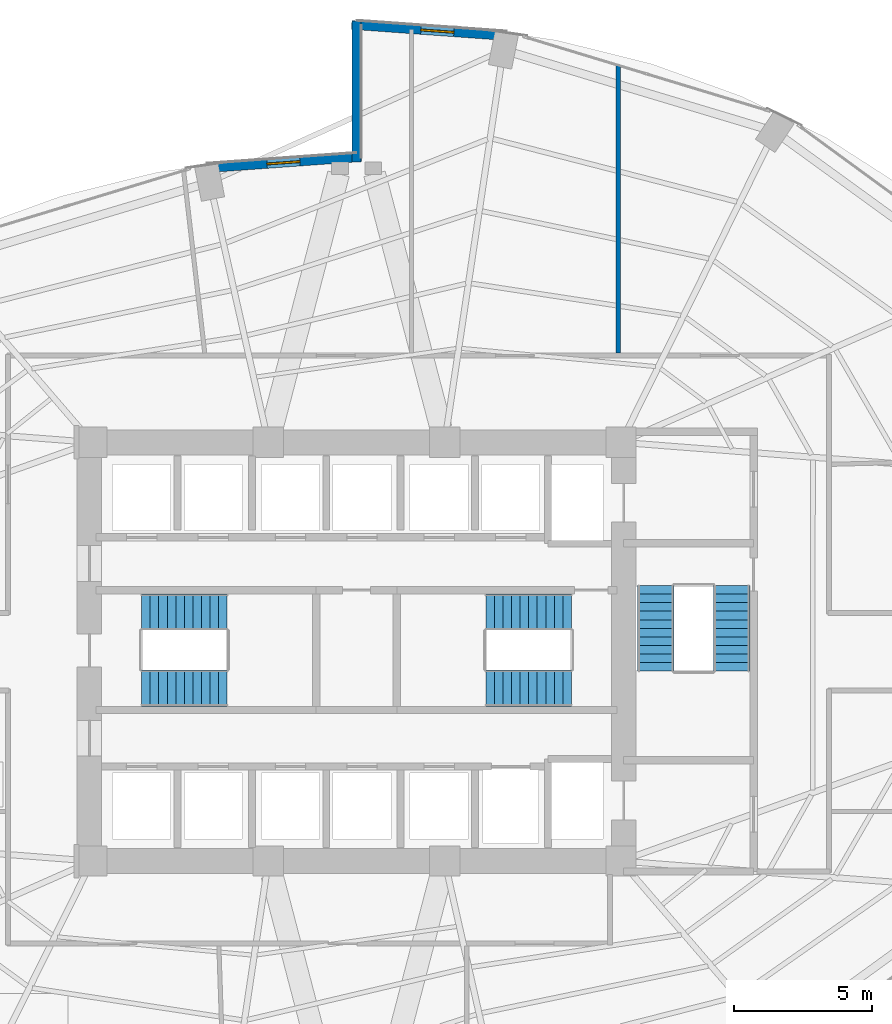
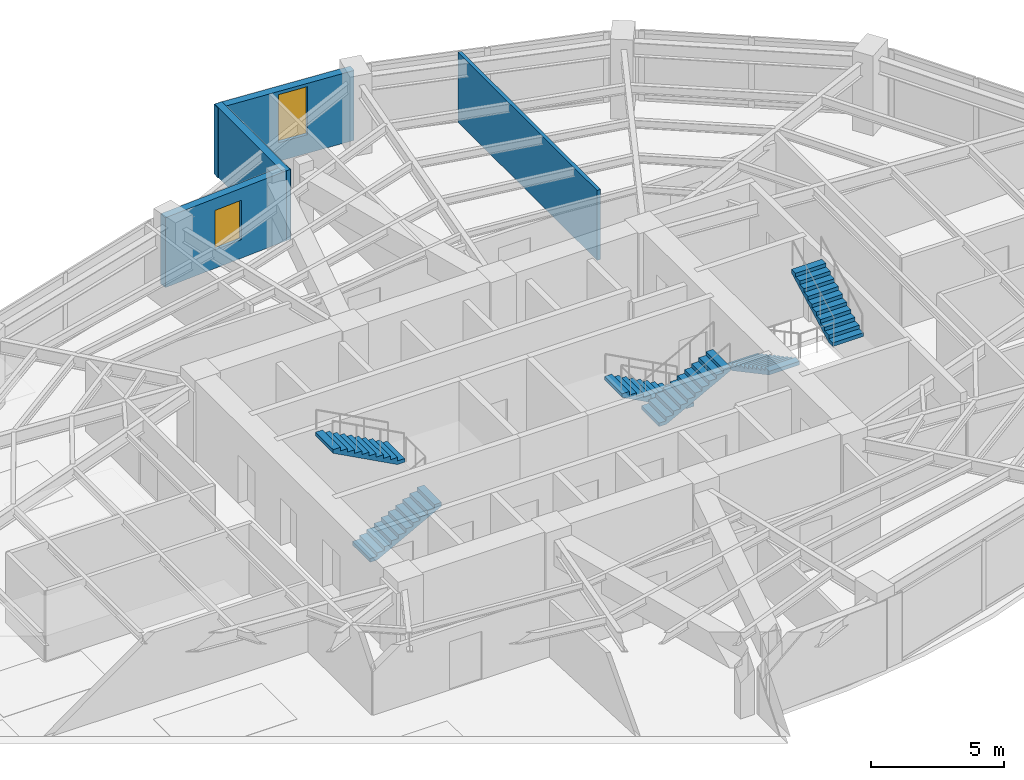
# One storey, part 22 of 24: 6 stair flights, 4 walls, 2 windows, 2 openings, 3 elements without a shape of their own.
"""IFC4 building model written with IfcOpenShell, lengths in metres."""

from ifc_helpers import new_model, si_unit, direction, frame, frame_2d, origin, place, context, subcontext, project, spatial, polyline, rectangle, outline, extrude, material, layer, layer_set, type_object, element, fill, aggregate, save


model = new_model("IFC4")

# Units and contexts
model_context = context("Model", 3, precision=1e-05, world=origin(), true_north=direction((0.0, 1.0)))
body_context = subcontext(model_context, "Body", "Model", "MODEL_VIEW")
ifc_project = project(units=[si_unit("LENGTHUNIT", "METRE"), si_unit("AREAUNIT", "SQUARE_METRE"), si_unit("VOLUMEUNIT", "CUBIC_METRE"), si_unit("PLANEANGLEUNIT", "RADIAN"), si_unit("MASSUNIT", "GRAM", prefix="KILO")], contexts=[model_context])

# Site, building, storey
site_placement = place(None, origin())
site = spatial("IfcSite", under=ifc_project, at=site_placement, CompositionType="ELEMENT")
building_placement = place(site_placement, origin())
building = spatial("IfcBuilding", under=site, at=building_placement, Name="Lazwardi Medical Tower", CompositionType="ELEMENT")
storey_placement = place(building_placement, frame((0.0, 0.0, 72.6240234375)))
storey = spatial("IfcBuildingStorey", under=building, at=storey_placement, Name="L18", CompositionType="ELEMENT", Elevation=72.6240234375)

# Wall, opening, window
ifc_material_1 = material(Name="Precast concrete C45/55", Category="concrete")
ifc_layer_1 = layer(ifc_material_1, 0.320068359375)
ifc_layer_set_1 = layer_set([ifc_layer_1], Name="Precast concrete C45/55")
wall_type_1 = type_object("IfcWallType", Name="WL-IWAN-320", PredefinedType="SOLIDWALL", material=ifc_layer_set_1)
wall_1_placement = place(storey_placement, frame((41.481201171875, 50.345703125, 0.0), z_axis=(0.0, 0.0, 1.0), x_axis=(-0.997422321809, 0.071754525696, 0.0)))
wall_1 = element("IfcWall", 1, at=wall_1_placement, inside=storey, type_object=wall_type_1, Name="L18 Iwan Portal Return Wall NE_ret", PredefinedType="SOLIDWALL", context=body_context, shape_type="SweptSolid", body=[
    extrude(rectangle(XDim=5.67529296875, YDim=0.320068359375, at=frame_2d((2.837646484375, 0.0))), origin(), (0.0, 0.0, 1.0), 3.197998046875),
])
opening_1_placement = place(wall_1_placement, frame((1.94921875, 0.0, 0.85009765625)))
opening_1 = element("IfcOpeningElement", 2, at=opening_1_placement, cuts=wall_1, Name="Opening WN-01", PredefinedType="OPENING", context=body_context, shape_type="SweptSolid", body=[
    extrude(rectangle(XDim=1.199951171875, YDim=2.199951171875, at=frame_2d((0.60009765625, 1.10009765625))), frame((0.0, 0.169921875, 0.0), z_axis=(0.0, -1.0, 0.0), x_axis=(1.0, 0.0, 0.0)), (0.0, 0.0, 1.0), 0.340087890625),
])
ifc_material_2 = material(Name="Low-e bronze solar control double glazing", Category="glass")
window_type_1 = type_object("IfcWindowType", Name="WIN-IW-1200", PartitioningType="SINGLE_PANEL", PredefinedType="WINDOW", material=ifc_material_2)
window_1_placement = place(opening_1_placement, origin())
window_1 = element("IfcWindow", 3, at=window_1_placement, inside=storey, type_object=window_type_1, Name="L18 Iwan Slot Window NE_ret", OverallHeight=2.199951171875, OverallWidth=1.199951171875, PartitioningType="SINGLE_PANEL", PredefinedType="WINDOW", context=body_context, shape_type="SweptSolid", body=[
    extrude(rectangle(XDim=1.199951171875, YDim=2.199951171875, at=frame_2d((0.60009765625, 1.10009765625))), frame((0.0, 0.030029296875, 0.0), z_axis=(0.0, -1.0, 0.0), x_axis=(1.0, 0.0, 0.0)), (0.0, 0.0, 1.0), 0.06005859375),
])
fill(opening_1, window_1)

wall_2_placement = place(storey_placement, frame((36.178955078125, 45.952880859375, 0.0), z_axis=(0.0, 0.0, 1.0), x_axis=(-0.997421878774, -0.071760683825, 0.0)))
wall_2 = element("IfcWall", 4, at=wall_2_placement, inside=storey, type_object=wall_type_1, Name="L18 Iwan Portal Return Wall NW_ret", PredefinedType="SOLIDWALL", context=body_context, shape_type="SweptSolid", body=[
    extrude(rectangle(XDim=5.6748046875, YDim=0.320068359375, at=frame_2d((2.83740234375, 0.0))), origin(), (0.0, 0.0, 1.0), 3.197998046875),
])
opening_2_placement = place(wall_2_placement, frame((2.2373046875, 0.0, 0.85009765625)))
opening_2 = element("IfcOpeningElement", 5, at=opening_2_placement, cuts=wall_2, Name="Opening WN-04", PredefinedType="OPENING", context=body_context, shape_type="SweptSolid", body=[
    extrude(rectangle(XDim=1.199951171875, YDim=1.800048828125, at=frame_2d((0.60009765625, 0.89990234375))), frame((0.0, 0.169921875, 0.0), z_axis=(0.0, -1.0, 0.0), x_axis=(1.0, 0.0, 0.0)), (0.0, 0.0, 1.0), 0.340087890625),
])
window_type_2 = type_object("IfcWindowType", Name="WIN-DRUM-1200", PartitioningType="SINGLE_PANEL", PredefinedType="WINDOW", material=ifc_material_2)
window_2_placement = place(opening_2_placement, origin())
window_2 = element("IfcWindow", 6, at=window_2_placement, inside=storey, type_object=window_type_2, Name="L18 Iwan Slot Window NW_ret", OverallHeight=1.800048828125, OverallWidth=1.199951171875, PartitioningType="SINGLE_PANEL", PredefinedType="WINDOW", context=body_context, shape_type="SweptSolid", body=[
    extrude(rectangle(XDim=1.199951171875, YDim=1.800048828125, at=frame_2d((0.60009765625, 0.89990234375))), frame((0.0, 0.030029296875, 0.0), z_axis=(0.0, -1.0, 0.0), x_axis=(1.0, 0.0, 0.0)), (0.0, 0.0, 1.0), 0.06005859375),
])
fill(opening_2, window_2)

# Walls
wall_3_placement = place(storey_placement, frame((36.0, 50.89990234375, 0.0), z_axis=(0.0, 0.0, 1.0), x_axis=(0.0, -1.0, 0.0)))
element("IfcWall", 7, at=wall_3_placement, inside=storey, type_object=wall_type_1, Name="L18 Turquoise Tilework Iwan Seam Wall N_seam", PredefinedType="SOLIDWALL", context=body_context, shape_type="SweptSolid", body=[
    extrude(rectangle(XDim=5.119873046875, YDim=0.320068359375, at=frame_2d((2.56005859375, 0.0))), origin(), (0.0, 0.0, 1.0), 3.197998046875),
])
ifc_material_3 = material(Name="Acoustic gypsum board partition")
ifc_layer_2 = layer(ifc_material_3, 0.14990234375)
ifc_layer_set_2 = layer_set([ifc_layer_2], Name="Acoustic gypsum board partition")
wall_type_2 = type_object("IfcWallType", Name="WL-WRD-150", PredefinedType="PARTITIONING", material=ifc_layer_set_2)
wall_4_placement = place(storey_placement, frame((45.5, 38.840087890625, 0.0), z_axis=(0.0, 0.0, 1.0), x_axis=(0.0, 1.0, 0.0)))
element("IfcWall", 8, at=wall_4_placement, inside=storey, type_object=wall_type_2, Name="L18 Room partition 6", PredefinedType="PARTITIONING", context=body_context, shape_type="SweptSolid", body=[
    extrude(rectangle(XDim=10.43603515625, YDim=0.14990234375, at=frame_2d((5.218017578125, 0.0))), origin(), (0.0, 0.0, 1.0), 3.197998046875),
])

# Stair, stair flights
ifc_material_4 = material(Name="Concrete C45/55", Category="concrete")
stair_type = type_object("IfcStairType", Name="STR-WRD", PredefinedType="HALF_TURN_STAIR", material=ifc_material_4)
stair_1_placement = place(storey_placement, origin())
stair_1 = element("IfcStair", 9, at=stair_1_placement, inside=storey, type_object=stair_type, Name="L18 Protected Exit Stair ST1", PredefinedType="HALF_TURN_STAIR")
stair_flight_type = type_object("IfcStairFlightType", Name="FLT-WRD", PredefinedType="STRAIGHT", material=ifc_material_4)
stair_flight_1_placement = place(storey_placement, frame((28.199951171875, 26.679931640625, 0.0), z_axis=(0.0, 0.0, 1.0), x_axis=(1.0, 0.0, 0.0)))
stair_flight_1 = element("IfcStairFlight", 10, at=stair_flight_1_placement, type_object=stair_flight_type, Name="ST1 flight 1", NumberOfRisers=11, NumberOfTreads=10, PredefinedType="STRAIGHT", RiserHeight=0.165818182, TreadLength=0.31, context=body_context, shape_type="SweptSolid", body=[
    extrude(outline(polyline([(0.0, 0.0), (0.0, 0.165771484375), (0.31005859375, 0.165771484375), (0.31005859375, 0.33154296875), (0.6201171875, 0.33154296875), (0.6201171875, 0.49755859375), (0.929931640625, 0.49755859375), (0.929931640625, 0.663330078125), (1.239990234375, 0.663330078125), (1.239990234375, 0.8291015625), (1.550048828125, 0.8291015625), (1.550048828125, 0.994873046875), (1.860107421875, 0.994873046875), (1.860107421875, 1.16064453125), (2.169921875, 1.16064453125), (2.169921875, 1.32666015625), (2.47998046875, 1.32666015625), (2.47998046875, 1.492431640625), (2.7900390625, 1.492431640625), (2.7900390625, 1.658203125), (3.10009765625, 1.658203125), (3.10009765625, 1.823974609375), (3.10009765625, 1.48828125), (0.31787109375, 0.0), (0.0, 0.0)])), frame((0.0, 0.66015625, 0.0), z_axis=(0.0, -1.0, 0.0), x_axis=(1.0, 0.0, 0.0)), (0.0, 0.0, 1.0), 1.320068359375),
])
stair_flight_2_placement = place(storey_placement, frame((31.300048828125, 29.43994140625, 1.823974609375), z_axis=(0.0, 0.0, 1.0), x_axis=(-1.0, 0.0, 0.0)))
stair_flight_2 = element("IfcStairFlight", 11, at=stair_flight_2_placement, type_object=stair_flight_type, Name="ST1 flight 2", NumberOfRisers=11, NumberOfTreads=10, PredefinedType="STRAIGHT", RiserHeight=0.165818182, TreadLength=0.31, context=body_context, shape_type="SweptSolid", body=[
    extrude(outline(polyline([(0.0, 0.0), (0.0, 0.165771484375), (0.31005859375, 0.165771484375), (0.31005859375, 0.33154296875), (0.6201171875, 0.33154296875), (0.6201171875, 0.49755859375), (0.929931640625, 0.49755859375), (0.929931640625, 0.663330078125), (1.239990234375, 0.663330078125), (1.239990234375, 0.8291015625), (1.550048828125, 0.8291015625), (1.550048828125, 0.994873046875), (1.860107421875, 0.994873046875), (1.860107421875, 1.16064453125), (2.169921875, 1.16064453125), (2.169921875, 1.32666015625), (2.47998046875, 1.32666015625), (2.47998046875, 1.492431640625), (2.7900390625, 1.492431640625), (2.7900390625, 1.658203125), (3.10009765625, 1.658203125), (3.10009765625, 1.823974609375), (3.10009765625, 1.48828125), (0.31787109375, 0.0), (0.0, 0.0)])), frame((0.0, 0.66015625, 0.0), z_axis=(0.0, -1.0, 0.0), x_axis=(1.0, 0.0, 0.0)), (0.0, 0.0, 1.0), 1.320068359375),
])
aggregate(stair_1, [stair_flight_1, stair_flight_2])

stair_2_placement = place(storey_placement, origin())
stair_2 = element("IfcStair", 12, at=stair_2_placement, inside=storey, type_object=stair_type, Name="L18 Protected Exit Stair ST2", PredefinedType="HALF_TURN_STAIR")
stair_flight_3_placement = place(storey_placement, frame((43.800048828125, 29.43994140625, 0.0), z_axis=(0.0, 0.0, 1.0), x_axis=(-1.0, 0.0, 0.0)))
stair_flight_3 = element("IfcStairFlight", 13, at=stair_flight_3_placement, type_object=stair_flight_type, Name="ST2 flight 1", NumberOfRisers=11, NumberOfTreads=10, PredefinedType="STRAIGHT", RiserHeight=0.165818182, TreadLength=0.31, context=body_context, shape_type="SweptSolid", body=[
    extrude(outline(polyline([(0.0, 0.0), (0.0, 0.165771484375), (0.31005859375, 0.165771484375), (0.31005859375, 0.33154296875), (0.6201171875, 0.33154296875), (0.6201171875, 0.49755859375), (0.929931640625, 0.49755859375), (0.929931640625, 0.663330078125), (1.239990234375, 0.663330078125), (1.239990234375, 0.8291015625), (1.550048828125, 0.8291015625), (1.550048828125, 0.994873046875), (1.860107421875, 0.994873046875), (1.860107421875, 1.16064453125), (2.169921875, 1.16064453125), (2.169921875, 1.32666015625), (2.47998046875, 1.32666015625), (2.47998046875, 1.492431640625), (2.7900390625, 1.492431640625), (2.7900390625, 1.658203125), (3.10009765625, 1.658203125), (3.10009765625, 1.823974609375), (3.10009765625, 1.48828125), (0.31787109375, 0.0), (0.0, 0.0)])), frame((0.0, 0.66015625, 0.0), z_axis=(0.0, -1.0, 0.0), x_axis=(1.0, 0.0, 0.0)), (0.0, 0.0, 1.0), 1.320068359375),
])
stair_flight_4_placement = place(storey_placement, frame((40.699951171875, 26.679931640625, 1.823974609375), z_axis=(0.0, 0.0, 1.0), x_axis=(1.0, 0.0, 0.0)))
stair_flight_4 = element("IfcStairFlight", 14, at=stair_flight_4_placement, type_object=stair_flight_type, Name="ST2 flight 2", NumberOfRisers=11, NumberOfTreads=10, PredefinedType="STRAIGHT", RiserHeight=0.165818182, TreadLength=0.31, context=body_context, shape_type="SweptSolid", body=[
    extrude(outline(polyline([(0.0, 0.0), (0.0, 0.165771484375), (0.31005859375, 0.165771484375), (0.31005859375, 0.33154296875), (0.6201171875, 0.33154296875), (0.6201171875, 0.49755859375), (0.929931640625, 0.49755859375), (0.929931640625, 0.663330078125), (1.239990234375, 0.663330078125), (1.239990234375, 0.8291015625), (1.550048828125, 0.8291015625), (1.550048828125, 0.994873046875), (1.860107421875, 0.994873046875), (1.860107421875, 1.16064453125), (2.169921875, 1.16064453125), (2.169921875, 1.32666015625), (2.47998046875, 1.32666015625), (2.47998046875, 1.492431640625), (2.7900390625, 1.492431640625), (2.7900390625, 1.658203125), (3.10009765625, 1.658203125), (3.10009765625, 1.823974609375), (3.10009765625, 1.48828125), (0.31787109375, 0.0), (0.0, 0.0)])), frame((0.0, 0.66015625, 0.0), z_axis=(0.0, -1.0, 0.0), x_axis=(1.0, 0.0, 0.0)), (0.0, 0.0, 1.0), 1.320068359375),
])
aggregate(stair_2, [stair_flight_3, stair_flight_4])

stair_3_placement = place(storey_placement, origin())
stair_3 = element("IfcStair", 15, at=stair_3_placement, inside=storey, type_object=stair_type, Name="L18 Protected Exit Stair ST3", PredefinedType="HALF_TURN_STAIR")
stair_flight_5_placement = place(storey_placement, frame((46.860107421875, 30.39990234375, 0.0), z_axis=(0.0, 0.0, 1.0), x_axis=(0.0, -1.0, 0.0)))
stair_flight_5 = element("IfcStairFlight", 16, at=stair_flight_5_placement, type_object=stair_flight_type, Name="ST3 flight 1", NumberOfRisers=11, NumberOfTreads=10, PredefinedType="STRAIGHT", RiserHeight=0.165818182, TreadLength=0.31, context=body_context, shape_type="SweptSolid", body=[
    extrude(outline(polyline([(0.0, 0.0), (0.0, 0.165771484375), (0.31005859375, 0.165771484375), (0.31005859375, 0.33154296875), (0.6201171875, 0.33154296875), (0.6201171875, 0.49755859375), (0.929931640625, 0.49755859375), (0.929931640625, 0.663330078125), (1.239990234375, 0.663330078125), (1.239990234375, 0.8291015625), (1.550048828125, 0.8291015625), (1.550048828125, 0.994873046875), (1.860107421875, 0.994873046875), (1.860107421875, 1.16064453125), (2.169921875, 1.16064453125), (2.169921875, 1.32666015625), (2.47998046875, 1.32666015625), (2.47998046875, 1.492431640625), (2.7900390625, 1.492431640625), (2.7900390625, 1.658203125), (3.10009765625, 1.658203125), (3.10009765625, 1.823974609375), (3.10009765625, 1.48828125), (0.31787109375, 0.0), (0.0, 0.0)])), frame((0.0, 0.66015625, 0.0), z_axis=(0.0, -1.0, 0.0), x_axis=(1.0, 0.0, 0.0)), (0.0, 0.0, 1.0), 1.320068359375),
])
stair_flight_6_placement = place(storey_placement, frame((49.6201171875, 27.300048828125, 1.823974609375), z_axis=(0.0, 0.0, 1.0), x_axis=(0.0, 1.0, 0.0)))
stair_flight_6 = element("IfcStairFlight", 17, at=stair_flight_6_placement, type_object=stair_flight_type, Name="ST3 flight 2", NumberOfRisers=11, NumberOfTreads=10, PredefinedType="STRAIGHT", RiserHeight=0.165818182, TreadLength=0.31, context=body_context, shape_type="SweptSolid", body=[
    extrude(outline(polyline([(0.0, 0.0), (0.0, 0.165771484375), (0.31005859375, 0.165771484375), (0.31005859375, 0.33154296875), (0.6201171875, 0.33154296875), (0.6201171875, 0.49755859375), (0.929931640625, 0.49755859375), (0.929931640625, 0.663330078125), (1.239990234375, 0.663330078125), (1.239990234375, 0.8291015625), (1.550048828125, 0.8291015625), (1.550048828125, 0.994873046875), (1.860107421875, 0.994873046875), (1.860107421875, 1.16064453125), (2.169921875, 1.16064453125), (2.169921875, 1.32666015625), (2.47998046875, 1.32666015625), (2.47998046875, 1.492431640625), (2.7900390625, 1.492431640625), (2.7900390625, 1.658203125), (3.10009765625, 1.658203125), (3.10009765625, 1.823974609375), (3.10009765625, 1.48828125), (0.31787109375, 0.0), (0.0, 0.0)])), frame((0.0, 0.66015625, 0.0), z_axis=(0.0, -1.0, 0.0), x_axis=(1.0, 0.0, 0.0)), (0.0, 0.0, 1.0), 1.320068359375),
])
aggregate(stair_3, [stair_flight_5, stair_flight_6])

save(model, "model.ifc")
